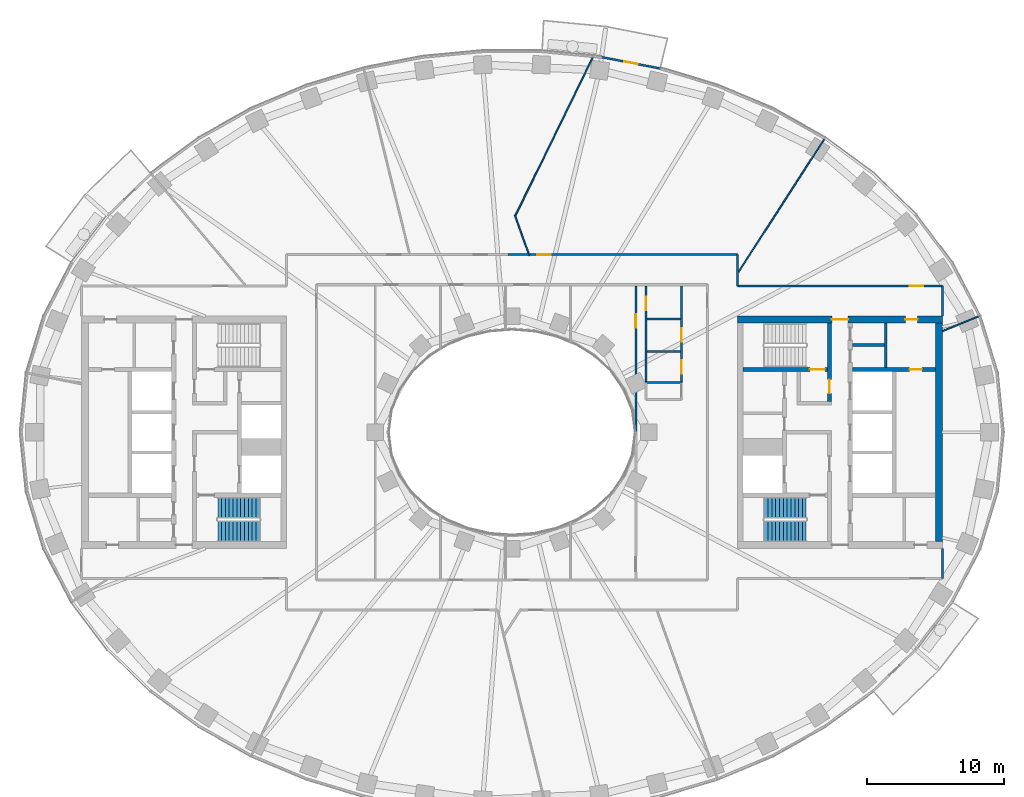
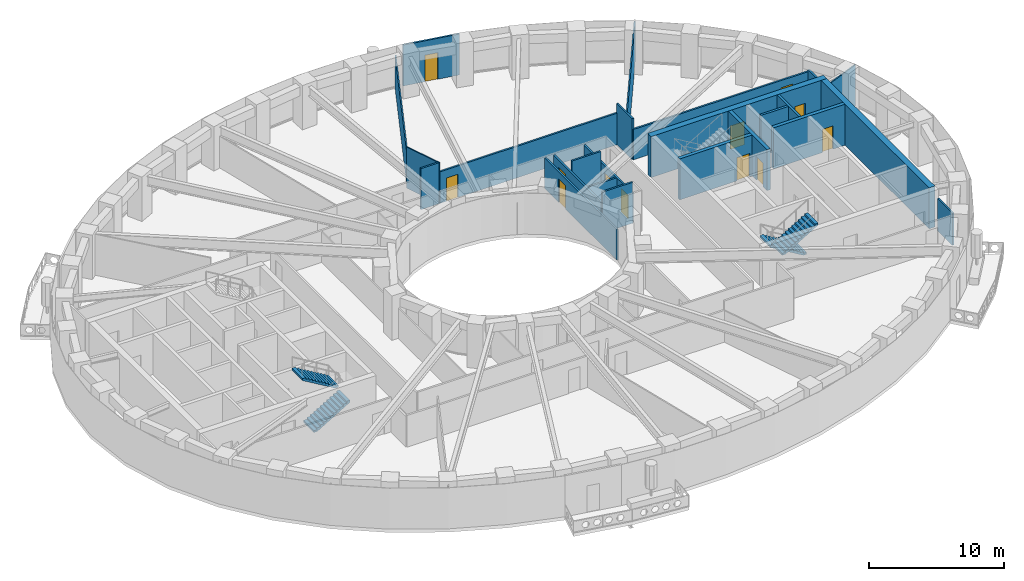
# One storey, part 6 of 16: 24 walls, 12 doors, 4 stair flights, 12 openings, 2 elements without a shape of their own.
"""IFC4 building model written with IfcOpenShell, lengths in metres."""

from ifc_helpers import new_model, si_unit, direction, frame, frame_2d, origin, place, context, subcontext, project, spatial, polyline, rectangle, outline, extrude, material, layer, layer_set, type_object, element, fill, aggregate, save


model = new_model("IFC4")

# Units and contexts
model_context = context("Model", 3, precision=1e-05, world=origin(), true_north=direction((0.0, 1.0)))
body_context = subcontext(model_context, "Body", "Model", "MODEL_VIEW")
ifc_project = project(units=[si_unit("LENGTHUNIT", "METRE"), si_unit("AREAUNIT", "SQUARE_METRE"), si_unit("VOLUMEUNIT", "CUBIC_METRE"), si_unit("PLANEANGLEUNIT", "RADIAN"), si_unit("MASSUNIT", "GRAM", prefix="KILO")], contexts=[model_context])

# Site, building, storey
site_placement = place(None, origin())
site = spatial("IfcSite", under=ifc_project, at=site_placement, CompositionType="ELEMENT")
building_placement = place(site_placement, origin())
building = spatial("IfcBuilding", under=site, at=building_placement, Name="Noorbagh Ring Tower", CompositionType="ELEMENT")
storey_placement = place(building_placement, frame((0.0, 0.0, 100.0)))
storey = spatial("IfcBuildingStorey", under=building, at=storey_placement, Name="L22", CompositionType="ELEMENT", Elevation=100.0)

# Walls
ifc_material_1 = material(Name="Gypsum board on steel studs", Category="steel")
ifc_layer_1 = layer(ifc_material_1, 0.14990234375)
ifc_layer_set_1 = layer_set([ifc_layer_1], Name="Gypsum board on steel studs")
wall_type_1 = type_object("IfcWallType", Name="COMPARTMENT PARTITION 150 EI 60", PredefinedType="PARTITIONING", material=ifc_layer_set_1)
wall_1_placement = place(storey_placement, frame((9.800048828125, 3.659912109375, 0.0), z_axis=(0.0, 0.0, 1.0), x_axis=(1.0, 0.0, 0.0)))
element("IfcWall", 1, at=wall_1_placement, inside=storey, type_object=wall_type_1, Name="L22/wall/P36", PredefinedType="PARTITIONING", context=body_context, shape_type="SweptSolid", body=[
    extrude(rectangle(XDim=2.599853515625, YDim=0.14990234375, at=frame_2d((1.2998046875, 0.0))), origin(), (0.0, 0.0, 1.0), 3.699951171875),
])
ifc_material_2 = material(Name="Gypsum board on steel studs", Category="steel")
ifc_layer_2 = layer(ifc_material_2, 0.199951171875)
ifc_layer_set_2 = layer_set([ifc_layer_2], Name="Gypsum board on steel studs")
wall_type_2 = type_object("IfcWallType", Name="CORE-PARTITION-200", PredefinedType="PARTITIONING", material=ifc_layer_set_2)
wall_2_placement = place(storey_placement, frame((27.35009765625, 4.75, 0.0), z_axis=(0.0, 0.0, 1.0), x_axis=(0.0, 1.0, 0.0)))
element("IfcWall", 2, at=wall_2_placement, inside=storey, type_object=wall_type_2, Name="Core partition E", PredefinedType="PARTITIONING", context=body_context, shape_type="SweptSolid", body=[
    extrude(rectangle(XDim=3.25, YDim=0.199951171875, at=frame_2d((1.625, 0.0))), origin(), (0.0, 0.0, 1.0), 3.699951171875),
])
wall_3_placement = place(storey_placement, frame((24.89990234375, 6.39990234375, 0.0), z_axis=(0.0, 0.0, 1.0), x_axis=(1.0, 0.0, 0.0)))
element("IfcWall", 3, at=wall_3_placement, inside=storey, type_object=wall_type_2, Name="Core partition E", PredefinedType="PARTITIONING", context=body_context, shape_type="SweptSolid", body=[
    extrude(rectangle(XDim=2.35009765625, YDim=0.199951171875, at=frame_2d((1.175048828125, 0.0))), origin(), (0.0, 0.0, 1.0), 3.699951171875),
])

# Wall, opening, door
ifc_material_3 = material(Name="Concrete C70/85", Category="concrete")
ifc_layer_3 = layer(ifc_material_3, 0.300048828125)
ifc_layer_set_3 = layer_set([ifc_layer_3], Name="Concrete C70/85")
wall_type_3 = type_object("IfcWallType", Name="CORE-WALL-300-C70-85-EI240", PredefinedType="SHEAR", material=ifc_layer_set_3)
wall_4_placement = place(storey_placement, frame((24.89990234375, 4.60009765625, 0.0), z_axis=(0.0, 0.0, 1.0), x_axis=(1.0, 0.0, 0.0)))
wall_4 = element("IfcWall", 4, at=wall_4_placement, inside=storey, type_object=wall_type_3, Name="Core wall E", PredefinedType="SHEAR", context=body_context, shape_type="SweptSolid", body=[
    extrude(rectangle(XDim=6.10009765625, YDim=0.300048828125, at=frame_2d((3.050048828125, 0.0))), origin(), (0.0, 0.0, 1.0), 3.699951171875),
])
opening_1_placement = place(wall_4_placement, frame((4.199951171875, 0.0, 0.0)))
opening_1 = element("IfcOpeningElement", 5, at=opening_1_placement, cuts=wall_4, Name="Opening L22-CE18", PredefinedType="OPENING", context=body_context, shape_type="SweptSolid", body=[
    extrude(rectangle(XDim=0.89990234375, YDim=2.10009765625, at=frame_2d((0.449951171875, 1.050048828125))), frame((0.0, 0.16015625, 0.0), z_axis=(0.0, -1.0, 0.0), x_axis=(1.0, 0.0, 0.0)), (0.0, 0.0, 1.0), 0.320068359375),
])
ifc_material_4 = material(Name="Steel door leaf", Category="steel")
door_type_1 = type_object("IfcDoorType", Name="CORE-DOOR-DROOM", OperationType="SINGLE_SWING_LEFT", PredefinedType="DOOR", material=ifc_material_4)
door_1_placement = place(opening_1_placement, origin())
door_1 = element("IfcDoor", 6, at=door_1_placement, inside=storey, type_object=door_type_1, Name="Core room door L22-CE18", OperationType="SINGLE_SWING_RIGHT", OverallHeight=2.10009765625, OverallWidth=0.89990234375, PredefinedType="DOOR", context=body_context, shape_type="SweptSolid", body=[
    extrude(rectangle(XDim=0.89990234375, YDim=2.10009765625, at=frame_2d((0.449951171875, 1.050048828125))), frame((0.0, 0.02490234375, 0.0), z_axis=(0.0, -1.0, 0.0), x_axis=(1.0, 0.0, 0.0)), (0.0, 0.0, 1.0), 0.050048828125),
])
fill(opening_1, door_1)

wall_5_placement = place(storey_placement, frame((23.22998046875, 2.25, 0.0), z_axis=(0.0, 0.0, 1.0), x_axis=(0.0, 1.0, 0.0)))
wall_5 = element("IfcWall", 7, at=wall_5_placement, inside=storey, type_object=wall_type_3, Name="Core wall E", PredefinedType="SHEAR", context=body_context, shape_type="SweptSolid", body=[
    extrude(rectangle(XDim=5.75, YDim=0.300048828125, at=frame_2d((2.875, 0.0))), origin(), (0.0, 0.0, 1.0), 3.699951171875),
])
opening_2_placement = place(wall_5_placement, frame((0.60009765625, 0.0, 0.0)))
opening_2 = element("IfcOpeningElement", 8, at=opening_2_placement, cuts=wall_5, Name="Opening L22-CE08", PredefinedType="OPENING", context=body_context, shape_type="SweptSolid", body=[
    extrude(rectangle(XDim=1.0, YDim=2.10009765625, at=frame_2d((0.5, 1.050048828125))), frame((0.0, 0.16015625, 0.0), z_axis=(0.0, -1.0, 0.0), x_axis=(1.0, 0.0, 0.0)), (0.0, 0.0, 1.0), 0.320068359375),
])
ifc_material_5 = material(Name="Steel door leaf", Category="steel")
door_type_2 = type_object("IfcDoorType", Name="CORE-DOOR-DVEST", OperationType="SINGLE_SWING_LEFT", PredefinedType="DOOR", material=ifc_material_5)
door_2_placement = place(opening_2_placement, origin())
door_2 = element("IfcDoor", 9, at=door_2_placement, inside=storey, type_object=door_type_2, Name="Stair vestibule door L22-CE08", OperationType="SINGLE_SWING_RIGHT", OverallHeight=2.10009765625, OverallWidth=1.0, PredefinedType="DOOR", context=body_context, shape_type="SweptSolid", body=[
    extrude(rectangle(XDim=1.0, YDim=2.10009765625, at=frame_2d((0.5, 1.050048828125))), frame((0.0, 0.02490234375, 0.0), z_axis=(0.0, -1.0, 0.0), x_axis=(1.0, 0.0, 0.0)), (0.0, 0.0, 1.0), 0.050048828125),
])
fill(opening_2, door_2)

wall_6_placement = place(storey_placement, frame((16.89990234375, 4.60009765625, 0.0), z_axis=(0.0, 0.0, 1.0), x_axis=(1.0, 0.0, 0.0)))
wall_6 = element("IfcWall", 10, at=wall_6_placement, inside=storey, type_object=wall_type_3, Name="Core wall E", PredefinedType="SHEAR", context=body_context, shape_type="SweptSolid", body=[
    extrude(rectangle(XDim=6.18017578125, YDim=0.300048828125, at=frame_2d((3.090087890625, 0.0))), origin(), (0.0, 0.0, 1.0), 3.699951171875),
])
opening_3_placement = place(wall_6_placement, frame((4.89990234375, 0.0, 0.0)))
opening_3 = element("IfcOpeningElement", 11, at=opening_3_placement, cuts=wall_6, Name="Opening L22-CE05", PredefinedType="OPENING", context=body_context, shape_type="SweptSolid", body=[
    extrude(rectangle(XDim=1.10009765625, YDim=2.10009765625, at=frame_2d((0.550048828125, 1.050048828125))), frame((0.0, 0.16015625, 0.0), z_axis=(0.0, -1.0, 0.0), x_axis=(1.0, 0.0, 0.0)), (0.0, 0.0, 1.0), 0.320068359375),
])
ifc_material_6 = material(Name="Steel door leaf", Category="steel")
door_type_3 = type_object("IfcDoorType", Name="CORE-DOOR-DSTAIR", OperationType="SINGLE_SWING_LEFT", PredefinedType="DOOR", material=ifc_material_6)
door_3_placement = place(opening_3_placement, origin())
door_3 = element("IfcDoor", 12, at=door_3_placement, inside=storey, type_object=door_type_3, Name="Stair door ST3 L22-CE05", OperationType="SINGLE_SWING_LEFT", OverallHeight=2.10009765625, OverallWidth=1.10009765625, PredefinedType="DOOR", context=body_context, shape_type="SweptSolid", body=[
    extrude(rectangle(XDim=1.10009765625, YDim=2.10009765625, at=frame_2d((0.550048828125, 1.050048828125))), frame((0.0, 0.02490234375, 0.0), z_axis=(0.0, -1.0, 0.0), x_axis=(1.0, 0.0, 0.0)), (0.0, 0.0, 1.0), 0.050048828125),
])
fill(opening_3, door_3)

# Wall, openings, doors
ifc_material_7 = material(Name="Concrete C70/85", Category="concrete")
ifc_layer_4 = layer(ifc_material_7, 0.5)
ifc_layer_set_4 = layer_set([ifc_layer_4], Name="Concrete C70/85")
wall_type_4 = type_object("IfcWallType", Name="CORE-WALL-500-C70-85-EI240", PredefinedType="SHEAR", material=ifc_layer_set_4)
wall_7_placement = place(storey_placement, frame((16.5, 8.25, 0.0), z_axis=(0.0, 0.0, 1.0), x_axis=(1.0, 0.0, 0.0)))
wall_7 = element("IfcWall", 13, at=wall_7_placement, inside=storey, type_object=wall_type_4, Name="Core wall E", PredefinedType="SHEAR", context=body_context, shape_type="SweptSolid", body=[
    extrude(rectangle(XDim=15.0, YDim=0.5, at=frame_2d((7.5, 0.0))), origin(), (0.0, 0.0, 1.0), 3.699951171875),
])
opening_4_placement = place(wall_7_placement, frame((6.89990234375, 0.0, 0.0)))
opening_4 = element("IfcOpeningElement", 14, at=opening_4_placement, cuts=wall_7, Name="Opening L22-CE09", PredefinedType="OPENING", context=body_context, shape_type="SweptSolid", body=[
    extrude(rectangle(XDim=1.199951171875, YDim=2.10009765625, at=frame_2d((0.60009765625, 1.050048828125))), frame((0.0, 0.260009765625, 0.0), z_axis=(0.0, -1.0, 0.0), x_axis=(1.0, 0.0, 0.0)), (0.0, 0.0, 1.0), 0.52001953125),
])
opening_5_placement = place(wall_7_placement, frame((12.27490234375, 0.0, 0.0)))
opening_5 = element("IfcOpeningElement", 15, at=opening_5_placement, cuts=wall_7, Name="Opening L22-CE15", PredefinedType="OPENING", context=body_context, shape_type="SweptSolid", body=[
    extrude(rectangle(XDim=0.89990234375, YDim=2.10009765625, at=frame_2d((0.449951171875, 1.050048828125))), frame((0.0, 0.260009765625, 0.0), z_axis=(0.0, -1.0, 0.0), x_axis=(1.0, 0.0, 0.0)), (0.0, 0.0, 1.0), 0.52001953125),
])
door_4_placement = place(opening_5_placement, origin())
door_4 = element("IfcDoor", 16, at=door_4_placement, inside=storey, type_object=door_type_1, Name="Core room door L22-CE15", OperationType="SINGLE_SWING_LEFT", OverallHeight=2.10009765625, OverallWidth=0.89990234375, PredefinedType="DOOR", context=body_context, shape_type="SweptSolid", body=[
    extrude(rectangle(XDim=0.89990234375, YDim=2.10009765625, at=frame_2d((0.449951171875, 1.050048828125))), frame((0.0, 0.02490234375, 0.0), z_axis=(0.0, -1.0, 0.0), x_axis=(1.0, 0.0, 0.0)), (0.0, 0.0, 1.0), 0.050048828125),
])
fill(opening_5, door_4)
ifc_material_8 = material(Name="Steel door leaf", Category="steel")
door_type_4 = type_object("IfcDoorType", Name="CORE-DOOR-PORT", OperationType="DOUBLE_DOOR_DOUBLE_SWING", PredefinedType="DOOR", material=ifc_material_8)
door_5_placement = place(opening_4_placement, origin())
door_5 = element("IfcDoor", 17, at=door_5_placement, inside=storey, type_object=door_type_4, Name="Core entrance door L22-CE09", OperationType="DOUBLE_DOOR_DOUBLE_SWING", OverallHeight=2.10009765625, OverallWidth=1.199951171875, PredefinedType="DOOR", context=body_context, shape_type="SweptSolid", body=[
    extrude(rectangle(XDim=1.199951171875, YDim=2.10009765625, at=frame_2d((0.60009765625, 1.050048828125))), frame((0.0, 0.02490234375, 0.0), z_axis=(0.0, -1.0, 0.0), x_axis=(1.0, 0.0, 0.0)), (0.0, 0.0, 1.0), 0.050048828125),
])
fill(opening_4, door_5)

# Walls
wall_8_placement = place(storey_placement, frame((31.25, -8.0, 0.0), z_axis=(0.0, 0.0, 1.0), x_axis=(0.0, 1.0, 0.0)))
element("IfcWall", 18, at=wall_8_placement, inside=storey, type_object=wall_type_4, Name="Core wall E", PredefinedType="SHEAR", context=body_context, shape_type="SweptSolid", body=[
    extrude(rectangle(XDim=16.0, YDim=0.5, at=frame_2d((8.0, 0.0))), origin(), (0.0, 0.0, 1.0), 3.699951171875),
])
ifc_material_9 = material(Name="Gypsum board on steel studs", Category="steel")
ifc_layer_5 = layer(ifc_material_9, 0.14990234375)
ifc_layer_set_5 = layer_set([ifc_layer_5], Name="Gypsum board on steel studs")
wall_type_5 = type_object("IfcWallType", Name="CORRIDOR PARTITION 150 EI 30", PredefinedType="PARTITIONING", material=ifc_layer_set_5)
wall_9_placement = place(storey_placement, frame((-0.294921875, 13.0, 0.0), z_axis=(0.0, 0.0, 1.0), x_axis=(1.0, 0.0, 0.0)))
element("IfcWall", 19, at=wall_9_placement, inside=storey, type_object=wall_type_5, Name="L22/wall/P24", PredefinedType="PARTITIONING", context=body_context, shape_type="SweptSolid", body=[
    extrude(rectangle(XDim=1.52880859375, YDim=0.14990234375, at=frame_2d((0.764404296875, 0.0))), origin(), (0.0, 0.0, 1.0), 3.699951171875),
])

# Wall, opening, door
wall_10_placement = place(storey_placement, frame((1.299072265625, 13.0, 0.0), z_axis=(0.0, 0.0, 1.0), x_axis=(1.0, 0.0, 0.0)))
wall_10 = element("IfcWall", 20, at=wall_10_placement, inside=storey, type_object=wall_type_5, Name="L22/wall/P29", PredefinedType="PARTITIONING", context=body_context, shape_type="SweptSolid", body=[
    extrude(rectangle(XDim=15.200927734375, YDim=0.14990234375, at=frame_2d((7.6005859375, 0.0))), origin(), (0.0, 0.0, 1.0), 2.85009765625),
])
opening_6_placement = place(wall_10_placement, frame((0.551025390625, 0.0, 0.0)))
opening_6 = element("IfcOpeningElement", 21, at=opening_6_placement, cuts=wall_10, Name="Opening D1", PredefinedType="OPENING", context=body_context, shape_type="SweptSolid", body=[
    extrude(rectangle(XDim=1.0, YDim=2.10009765625, at=frame_2d((0.5, 1.050048828125))), frame((0.0, 0.0849609375, 0.0), z_axis=(0.0, -1.0, 0.0), x_axis=(1.0, 0.0, 0.0)), (0.0, 0.0, 1.0), 0.169921875),
])
ifc_material_10 = material(Name="Timber, painted", Category="wood")
door_type_5 = type_object("IfcDoorType", Name="DOOR 1000 X 2100 FD30", OperationType="SINGLE_SWING_LEFT", PredefinedType="DOOR", material=ifc_material_10)
door_6_placement = place(opening_6_placement, origin())
door_6 = element("IfcDoor", 22, at=door_6_placement, inside=storey, type_object=door_type_5, Name="L22-D12", OperationType="SINGLE_SWING_RIGHT", OverallHeight=2.10009765625, OverallWidth=1.0, PredefinedType="DOOR", context=body_context, shape_type="SweptSolid", body=[
    extrude(rectangle(XDim=1.0, YDim=2.10009765625, at=frame_2d((0.5, 1.050048828125))), frame((0.0, 0.02490234375, 0.0), z_axis=(0.0, -1.0, 0.0), x_axis=(1.0, 0.0, 0.0)), (0.0, 0.0, 1.0), 0.050048828125),
])
fill(opening_6, door_6)

wall_11_placement = place(storey_placement, frame((9.056884765625, 0.044921875, 0.0), z_axis=(0.0, 0.0, 1.0), x_axis=(0.0, 1.0, 0.0)))
wall_11 = element("IfcWall", 23, at=wall_11_placement, inside=storey, type_object=wall_type_5, Name="L22/wall/P33", PredefinedType="PARTITIONING", context=body_context, shape_type="SweptSolid", body=[
    extrude(rectangle(XDim=10.68017578125, YDim=0.14990234375, at=frame_2d((5.340087890625, 0.0))), origin(), (0.0, 0.0, 1.0), 2.75),
])
opening_7_placement = place(wall_11_placement, frame((7.60498046875, 0.0, 0.0)))
opening_7 = element("IfcOpeningElement", 24, at=opening_7_placement, cuts=wall_11, Name="Opening D1", PredefinedType="OPENING", context=body_context, shape_type="SweptSolid", body=[
    extrude(rectangle(XDim=1.0, YDim=2.10009765625, at=frame_2d((0.5, 1.050048828125))), frame((0.0, 0.0849609375, 0.0), z_axis=(0.0, -1.0, 0.0), x_axis=(1.0, 0.0, 0.0)), (0.0, 0.0, 1.0), 0.169921875),
])
door_7_placement = place(opening_7_placement, origin())
door_7 = element("IfcDoor", 25, at=door_7_placement, inside=storey, type_object=door_type_5, Name="L22-D23", OperationType="SINGLE_SWING_LEFT", OverallHeight=2.10009765625, OverallWidth=1.0, PredefinedType="DOOR", context=body_context, shape_type="SweptSolid", body=[
    extrude(rectangle(XDim=1.0, YDim=2.10009765625, at=frame_2d((0.5, 1.050048828125))), frame((0.0, 0.02490234375, 0.0), z_axis=(0.0, -1.0, 0.0), x_axis=(1.0, 0.0, 0.0)), (0.0, 0.0, 1.0), 0.050048828125),
])
fill(opening_7, door_7)

wall_12_placement = place(storey_placement, frame((9.800048828125, 3.659912109375, 0.0), z_axis=(0.0, 0.0, 1.0), x_axis=(0.0, 1.0, 0.0)))
wall_12 = element("IfcWall", 26, at=wall_12_placement, inside=storey, type_object=wall_type_5, Name="L22/wall/P35", PredefinedType="PARTITIONING", context=body_context, shape_type="SweptSolid", body=[
    extrude(rectangle(XDim=7.065185546875, YDim=0.14990234375, at=frame_2d((3.53271484375, 0.0))), origin(), (0.0, 0.0, 1.0), 2.75),
])
opening_8_placement = place(wall_12_placement, frame((5.27001953125, 0.0, 0.0)))
opening_8 = element("IfcOpeningElement", 27, at=opening_8_placement, cuts=wall_12, Name="Opening D3", PredefinedType="OPENING", context=body_context, shape_type="SweptSolid", body=[
    extrude(rectangle(XDim=1.0, YDim=2.10009765625, at=frame_2d((0.5, 1.050048828125))), frame((0.0, 0.0849609375, 0.0), z_axis=(0.0, -1.0, 0.0), x_axis=(1.0, 0.0, 0.0)), (0.0, 0.0, 1.0), 0.169921875),
])
ifc_material_11 = material(Name="Timber, painted", Category="wood")
door_type_6 = type_object("IfcDoorType", Name="DOOR 1000 X 2100 WC", OperationType="SINGLE_SWING_LEFT", PredefinedType="DOOR", material=ifc_material_11)
door_8_placement = place(opening_8_placement, origin())
door_8 = element("IfcDoor", 28, at=door_8_placement, inside=storey, type_object=door_type_6, Name="L22-D02", OperationType="SINGLE_SWING_RIGHT", OverallHeight=2.10009765625, OverallWidth=1.0, PredefinedType="DOOR", context=body_context, shape_type="SweptSolid", body=[
    extrude(rectangle(XDim=1.0, YDim=2.10009765625, at=frame_2d((0.5, 1.050048828125))), frame((0.0, 0.02490234375, 0.0), z_axis=(0.0, -1.0, 0.0), x_axis=(1.0, 0.0, 0.0)), (0.0, 0.0, 1.0), 0.050048828125),
])
fill(opening_8, door_8)

# Walls
wall_13_placement = place(storey_placement, frame((9.875, 5.927978515625, 0.0), z_axis=(0.0, 0.0, 1.0), x_axis=(1.0, 0.0, 0.0)))
element("IfcWall", 29, at=wall_13_placement, inside=storey, type_object=wall_type_5, Name="L22/wall/P37", PredefinedType="PARTITIONING", context=body_context, shape_type="SweptSolid", body=[
    extrude(rectangle(XDim=2.449951171875, YDim=0.14990234375, at=frame_2d((1.22509765625, 0.0))), origin(), (0.0, 0.0, 1.0), 2.75),
])
wall_14_placement = place(storey_placement, frame((9.875, 8.280029296875, 0.0), z_axis=(0.0, 0.0, 1.0), x_axis=(1.0, 0.0, 0.0)))
element("IfcWall", 30, at=wall_14_placement, inside=storey, type_object=wall_type_5, Name="L22/wall/P38", PredefinedType="PARTITIONING", context=body_context, shape_type="SweptSolid", body=[
    extrude(rectangle(XDim=2.449951171875, YDim=0.14990234375, at=frame_2d((1.22509765625, 0.0))), origin(), (0.0, 0.0, 1.0), 3.699951171875),
])

# Wall, openings, doors
wall_15_placement = place(storey_placement, frame((12.39990234375, 3.659912109375, 0.0), z_axis=(0.0, 0.0, 1.0), x_axis=(0.0, 1.0, 0.0)))
wall_15 = element("IfcWall", 31, at=wall_15_placement, inside=storey, type_object=wall_type_5, Name="L22/wall/P43", PredefinedType="PARTITIONING", context=body_context, shape_type="SweptSolid", body=[
    extrude(rectangle(XDim=7.065185546875, YDim=0.14990234375, at=frame_2d((3.53271484375, 0.0))), origin(), (0.0, 0.0, 1.0), 2.75),
])
opening_9_placement = place(wall_15_placement, frame((2.969970703125, 0.0, 0.0)))
opening_9 = element("IfcOpeningElement", 32, at=opening_9_placement, cuts=wall_15, Name="Opening D3", PredefinedType="OPENING", context=body_context, shape_type="SweptSolid", body=[
    extrude(rectangle(XDim=1.0, YDim=2.10009765625, at=frame_2d((0.5, 1.050048828125))), frame((0.0, 0.0849609375, 0.0), z_axis=(0.0, -1.0, 0.0), x_axis=(1.0, 0.0, 0.0)), (0.0, 0.0, 1.0), 0.169921875),
])
opening_10_placement = place(wall_15_placement, frame((0.617919921875, 0.0, 0.0)))
opening_10 = element("IfcOpeningElement", 33, at=opening_10_placement, cuts=wall_15, Name="Opening D3", PredefinedType="OPENING", context=body_context, shape_type="SweptSolid", body=[
    extrude(rectangle(XDim=1.0, YDim=2.10009765625, at=frame_2d((0.5, 1.050048828125))), frame((0.0, 0.0849609375, 0.0), z_axis=(0.0, -1.0, 0.0), x_axis=(1.0, 0.0, 0.0)), (0.0, 0.0, 1.0), 0.169921875),
])
door_9_placement = place(opening_9_placement, origin())
door_9 = element("IfcDoor", 34, at=door_9_placement, inside=storey, type_object=door_type_6, Name="L22-D03", OperationType="SINGLE_SWING_LEFT", OverallHeight=2.10009765625, OverallWidth=1.0, PredefinedType="DOOR", context=body_context, shape_type="SweptSolid", body=[
    extrude(rectangle(XDim=1.0, YDim=2.10009765625, at=frame_2d((0.5, 1.050048828125))), frame((0.0, 0.02490234375, 0.0), z_axis=(0.0, -1.0, 0.0), x_axis=(1.0, 0.0, 0.0)), (0.0, 0.0, 1.0), 0.050048828125),
])
fill(opening_9, door_9)
door_10_placement = place(opening_10_placement, origin())
door_10 = element("IfcDoor", 35, at=door_10_placement, inside=storey, type_object=door_type_6, Name="L22-D04", OperationType="SINGLE_SWING_RIGHT", OverallHeight=2.10009765625, OverallWidth=1.0, PredefinedType="DOOR", context=body_context, shape_type="SweptSolid", body=[
    extrude(rectangle(XDim=1.0, YDim=2.10009765625, at=frame_2d((0.5, 1.050048828125))), frame((0.0, 0.02490234375, 0.0), z_axis=(0.0, -1.0, 0.0), x_axis=(1.0, 0.0, 0.0)), (0.0, 0.0, 1.0), 0.050048828125),
])
fill(opening_10, door_10)

# Wall
wall_16_placement = place(storey_placement, frame((16.5, 10.699951171875, 0.0), z_axis=(0.0, 0.0, 1.0), x_axis=(0.0, 1.0, 0.0)))
element("IfcWall", 36, at=wall_16_placement, inside=storey, type_object=wall_type_5, Name="L22/wall/P47", PredefinedType="PARTITIONING", context=body_context, shape_type="SweptSolid", body=[
    extrude(rectangle(XDim=2.300048828125, YDim=0.14990234375, at=frame_2d((1.14990234375, 0.0))), origin(), (0.0, 0.0, 1.0), 3.699951171875),
])

# Wall, opening, door
wall_17_placement = place(storey_placement, frame((16.5, 10.699951171875, 0.0), z_axis=(0.0, 0.0, 1.0), x_axis=(1.0, 0.0, 0.0)))
wall_17 = element("IfcWall", 37, at=wall_17_placement, inside=storey, type_object=wall_type_5, Name="L22/wall/P48", PredefinedType="PARTITIONING", context=body_context, shape_type="SweptSolid", body=[
    extrude(rectangle(XDim=15.0, YDim=0.14990234375, at=frame_2d((7.5, 0.0))), origin(), (0.0, 0.0, 1.0), 2.75),
])
opening_11_placement = place(wall_17_placement, frame((12.60009765625, 0.0, 0.0)))
opening_11 = element("IfcOpeningElement", 38, at=opening_11_placement, cuts=wall_17, Name="Opening D1", PredefinedType="OPENING", context=body_context, shape_type="SweptSolid", body=[
    extrude(rectangle(XDim=1.0, YDim=2.10009765625, at=frame_2d((0.5, 1.050048828125))), frame((0.0, 0.0849609375, 0.0), z_axis=(0.0, -1.0, 0.0), x_axis=(1.0, 0.0, 0.0)), (0.0, 0.0, 1.0), 0.169921875),
])
door_11_placement = place(opening_11_placement, origin())
door_11 = element("IfcDoor", 39, at=door_11_placement, inside=storey, type_object=door_type_5, Name="L22-D15", OperationType="SINGLE_SWING_LEFT", OverallHeight=2.10009765625, OverallWidth=1.0, PredefinedType="DOOR", context=body_context, shape_type="SweptSolid", body=[
    extrude(rectangle(XDim=1.0, YDim=2.10009765625, at=frame_2d((0.5, 1.050048828125))), frame((0.0, 0.02490234375, 0.0), z_axis=(0.0, -1.0, 0.0), x_axis=(1.0, 0.0, 0.0)), (0.0, 0.0, 1.0), 0.050048828125),
])
fill(opening_11, door_11)

# Walls
for number, where, z_axis, x_axis, name in (
    (40, (31.5, -10.699951171875, 0.0), (0.0, 0.0, 1.0), (0.0, 1.0, 0.0), "L22/wall/P50"),
    (41, (31.5, 8.5, 0.0), (0.0, 0.0, 1.0), (0.0, 1.0, 0.0), "L22/wall/P52"),
):
    element("IfcWall", number, at=place(storey_placement, frame(where, z_axis=z_axis, x_axis=x_axis)), inside=storey, type_object=wall_type_5, Name=name, PredefinedType="PARTITIONING", context=body_context, shape_type="SweptSolid", body=[
        extrude(rectangle(XDim=2.199951171875, YDim=0.14990234375, at=frame_2d((1.10009765625, 0.0))), origin(), (0.0, 0.0, 1.0), 2.89990234375),
    ])

# Wall, opening, door
ifc_material_12 = material(Name="Insulated aluminium clad panel", Category="aluminium")
ifc_layer_6 = layer(ifc_material_12, 0.14990234375)
ifc_layer_set_6 = layer_set([ifc_layer_6], Name="Insulated aluminium clad panel")
wall_type_6 = type_object("IfcWallType", Name="ENV-WALL-DOOR", PredefinedType="STANDARD", material=ifc_layer_set_6)
wall_18_placement = place(storey_placement, frame((10.87060546875, 26.616943359375, 0.0), z_axis=(0.0, 0.0, 1.0), x_axis=(-0.981631174778, 0.190788460615, 0.0)))
wall_18 = element("IfcWall", 42, at=wall_18_placement, inside=storey, type_object=wall_type_6, Name="Balcony door wall chord 10", PredefinedType="STANDARD", context=body_context, shape_type="SweptSolid", body=[
    extrude(rectangle(XDim=4.42626953125, YDim=0.14990234375, at=frame_2d((2.213134765625, 0.0))), origin(), (0.0, 0.0, 1.0), 3.699951171875),
])
opening_12_placement = place(wall_18_placement, frame((1.713134765625, 0.0, 0.0)))
opening_12 = element("IfcOpeningElement", 43, at=opening_12_placement, cuts=wall_18, Name="Opening D-BL", PredefinedType="OPENING", context=body_context, shape_type="SweptSolid", body=[
    extrude(rectangle(XDim=1.0, YDim=2.39990234375, at=frame_2d((0.5, 1.199951171875))), frame((0.0, 0.0849609375, 0.0), z_axis=(0.0, -1.0, 0.0), x_axis=(1.0, 0.0, 0.0)), (0.0, 0.0, 1.0), 0.169921875),
])
ifc_material_13 = material(Name="Aluminium and glass", Category="aluminium")
door_type_7 = type_object("IfcDoorType", Name="ENV-DOOR-BALCONY", OperationType="SINGLE_SWING_LEFT", PredefinedType="DOOR", material=ifc_material_13)
door_12_placement = place(opening_12_placement, origin())
door_12 = element("IfcDoor", 44, at=door_12_placement, inside=storey, type_object=door_type_7, Name="Balcony door chord 10", OperationType="SINGLE_SWING_LEFT", OverallHeight=2.39990234375, OverallWidth=1.0, PredefinedType="DOOR", context=body_context, shape_type="SweptSolid", body=[
    extrude(rectangle(XDim=1.0, YDim=2.39990234375, at=frame_2d((0.5, 1.199951171875))), frame((0.0, 0.02490234375, 0.0), z_axis=(0.0, -1.0, 0.0), x_axis=(1.0, 0.0, 0.0)), (0.0, 0.0, 1.0), 0.050048828125),
])
fill(opening_12, door_12)

# Walls
ifc_material_14 = material(Name="Gypsum board on steel studs", Category="steel")
ifc_layer_7 = layer(ifc_material_14, 0.10009765625)
ifc_layer_set_7 = layer_set([ifc_layer_7], Name="Gypsum board on steel studs")
wall_type_7 = type_object("IfcWallType", Name="PARTITION 100 GYPSUM", PredefinedType="PARTITIONING", material=ifc_layer_set_7)
wall_19_placement = place(storey_placement, frame((0.20703125, 15.889892578125, 0.0), z_axis=(0.0, 0.0, 1.0), x_axis=(0.338439213009, -0.94098825662, 0.0)))
element("IfcWall", 45, at=wall_19_placement, inside=storey, type_object=wall_type_7, Name="L22/wall/P26", PredefinedType="PARTITIONING", context=body_context, shape_type="SweptSolid", body=[
    extrude(rectangle(XDim=3.146728515625, YDim=0.10009765625, at=frame_2d((1.5732421875, 0.0))), origin(), (0.0, 0.0, 1.0), 3.699951171875),
])
wall_20_placement = place(storey_placement, frame((0.261962890625, 15.886962890625, 0.0), z_axis=(0.0, 0.0, 1.0), x_axis=(0.439206418019, 0.898386176636, 0.0)))
element("IfcWall", 46, at=wall_20_placement, inside=storey, type_object=wall_type_7, Name="L22/wall/P27", PredefinedType="PARTITIONING", context=body_context, shape_type="SweptSolid", body=[
    extrude(rectangle(XDim=12.968994140625, YDim=0.10009765625, at=frame_2d((6.484375, 0.0))), origin(), (0.0, 0.0, 1.0), 2.89990234375),
])
wall_21_placement = place(storey_placement, frame((16.574951171875, 11.73291015625, 0.0), z_axis=(0.0, 0.0, 1.0), x_axis=(0.54222594427, 0.840232720953, 0.0)))
element("IfcWall", 47, at=wall_21_placement, inside=storey, type_object=wall_type_7, Name="L22/wall/P49", PredefinedType="PARTITIONING", context=body_context, shape_type="SweptSolid", body=[
    extrude(rectangle(XDim=11.67431640625, YDim=0.10009765625, at=frame_2d((5.837158203125, 0.0))), origin(), (0.0, 0.0, 1.0), 3.699951171875),
])
wall_22_placement = place(storey_placement, frame((31.5, 7.409912109375, 0.0), z_axis=(0.0, 0.0, 1.0), x_axis=(0.925344112436, 0.379128307542, 0.0)))
element("IfcWall", 48, at=wall_22_placement, inside=storey, type_object=wall_type_7, Name="L22/wall/P51", PredefinedType="PARTITIONING", context=body_context, shape_type="SweptSolid", body=[
    extrude(rectangle(XDim=2.954345703125, YDim=0.10009765625, at=frame_2d((1.47705078125, 0.0))), origin(), (0.0, 0.0, 1.0), 3.699951171875),
])

# Stair, stair flights
ifc_material_15 = material(Name="Concrete C40/50", Category="concrete")
stair_type = type_object("IfcStairType", Name="CORE-STAIR", PredefinedType="HALF_TURN_STAIR", material=ifc_material_15)
stair_1_placement = place(storey_placement, origin())
stair_1 = element("IfcStair", 49, at=stair_1_placement, inside=storey, type_object=stair_type, Name="L22 Exit stair ST2", PredefinedType="HALF_TURN_STAIR")
ifc_material_16 = material(Name="Concrete C40/50", Category="concrete")
stair_flight_type = type_object("IfcStairFlightType", Name="CORE-STAIR-FLIGHT", PredefinedType="STRAIGHT", material=ifc_material_16)
stair_flight_1_placement = place(storey_placement, frame((-21.530029296875, -7.22509765625, 0.0), z_axis=(0.0, 0.0, 1.0), x_axis=(1.0, 0.0, 0.0)))
stair_flight_1 = element("IfcStairFlight", 50, at=stair_flight_1_placement, type_object=stair_flight_type, Name="ST2 flight 1", NumberOfRisers=12, NumberOfTreads=11, PredefinedType="STRAIGHT", RiserHeight=0.166666667, TreadLength=0.28, context=body_context, shape_type="SweptSolid", body=[
    extrude(outline(polyline([(0.0, 0.0), (0.0, 0.166748046875), (0.280029296875, 0.166748046875), (0.280029296875, 0.333251953125), (0.56005859375, 0.333251953125), (0.56005859375, 0.5), (0.840087890625, 0.5), (0.840087890625, 0.666748046875), (1.1201171875, 0.666748046875), (1.1201171875, 0.833251953125), (1.39990234375, 0.833251953125), (1.39990234375, 1.0), (1.679931640625, 1.0), (1.679931640625, 1.166748046875), (1.9599609375, 1.166748046875), (1.9599609375, 1.333251953125), (2.239990234375, 1.333251953125), (2.239990234375, 1.5), (2.52001953125, 1.5), (2.52001953125, 1.666748046875), (2.800048828125, 1.666748046875), (2.800048828125, 1.833251953125), (3.080078125, 1.833251953125), (3.080078125, 2.0), (3.080078125, 1.658935546875), (0.29296875, 0.0), (0.0, 0.0)])), frame((0.0, 0.77490234375, 0.0), z_axis=(0.0, -1.0, 0.0), x_axis=(1.0, 0.0, 0.0)), (0.0, 0.0, 1.0), 1.550048828125),
])
stair_flight_2_placement = place(storey_placement, frame((-18.449951171875, -5.52490234375, 2.0), z_axis=(0.0, 0.0, 1.0), x_axis=(-1.0, 0.0, 0.0)))
stair_flight_2 = element("IfcStairFlight", 51, at=stair_flight_2_placement, type_object=stair_flight_type, Name="ST2 flight 2", NumberOfRisers=12, NumberOfTreads=11, PredefinedType="STRAIGHT", RiserHeight=0.166666667, TreadLength=0.28, context=body_context, shape_type="SweptSolid", body=[
    extrude(outline(polyline([(0.0, 0.0), (0.0, 0.166748046875), (0.280029296875, 0.166748046875), (0.280029296875, 0.333251953125), (0.56005859375, 0.333251953125), (0.56005859375, 0.5), (0.840087890625, 0.5), (0.840087890625, 0.666748046875), (1.1201171875, 0.666748046875), (1.1201171875, 0.833251953125), (1.39990234375, 0.833251953125), (1.39990234375, 1.0), (1.679931640625, 1.0), (1.679931640625, 1.166748046875), (1.9599609375, 1.166748046875), (1.9599609375, 1.333251953125), (2.239990234375, 1.333251953125), (2.239990234375, 1.5), (2.52001953125, 1.5), (2.52001953125, 1.666748046875), (2.800048828125, 1.666748046875), (2.800048828125, 1.833251953125), (3.080078125, 1.833251953125), (3.080078125, 2.0), (3.080078125, 1.658935546875), (0.29296875, 0.0), (0.0, 0.0)])), frame((0.0, 0.77490234375, 0.0), z_axis=(0.0, -1.0, 0.0), x_axis=(1.0, 0.0, 0.0)), (0.0, 0.0, 1.0), 1.550048828125),
])
aggregate(stair_1, [stair_flight_1, stair_flight_2])

stair_2_placement = place(storey_placement, origin())
stair_2 = element("IfcStair", 52, at=stair_2_placement, inside=storey, type_object=stair_type, Name="L22 Exit stair ST4", PredefinedType="HALF_TURN_STAIR")
stair_flight_3_placement = place(storey_placement, frame((21.530029296875, -5.52490234375, 0.0), z_axis=(0.0, 0.0, 1.0), x_axis=(-1.0, 0.0, 0.0)))
stair_flight_3 = element("IfcStairFlight", 53, at=stair_flight_3_placement, type_object=stair_flight_type, Name="ST4 flight 1", NumberOfRisers=12, NumberOfTreads=11, PredefinedType="STRAIGHT", RiserHeight=0.166666667, TreadLength=0.28, context=body_context, shape_type="SweptSolid", body=[
    extrude(outline(polyline([(0.0, 0.0), (0.0, 0.166748046875), (0.280029296875, 0.166748046875), (0.280029296875, 0.333251953125), (0.56005859375, 0.333251953125), (0.56005859375, 0.5), (0.840087890625, 0.5), (0.840087890625, 0.666748046875), (1.1201171875, 0.666748046875), (1.1201171875, 0.833251953125), (1.39990234375, 0.833251953125), (1.39990234375, 1.0), (1.679931640625, 1.0), (1.679931640625, 1.166748046875), (1.9599609375, 1.166748046875), (1.9599609375, 1.333251953125), (2.239990234375, 1.333251953125), (2.239990234375, 1.5), (2.52001953125, 1.5), (2.52001953125, 1.666748046875), (2.800048828125, 1.666748046875), (2.800048828125, 1.833251953125), (3.080078125, 1.833251953125), (3.080078125, 2.0), (3.080078125, 1.658935546875), (0.29296875, 0.0), (0.0, 0.0)])), frame((0.0, 0.77490234375, 0.0), z_axis=(0.0, -1.0, 0.0), x_axis=(1.0, 0.0, 0.0)), (0.0, 0.0, 1.0), 1.550048828125),
])
stair_flight_4_placement = place(storey_placement, frame((18.449951171875, -7.22509765625, 2.0), z_axis=(0.0, 0.0, 1.0), x_axis=(1.0, 0.0, 0.0)))
stair_flight_4 = element("IfcStairFlight", 54, at=stair_flight_4_placement, type_object=stair_flight_type, Name="ST4 flight 2", NumberOfRisers=12, NumberOfTreads=11, PredefinedType="STRAIGHT", RiserHeight=0.166666667, TreadLength=0.28, context=body_context, shape_type="SweptSolid", body=[
    extrude(outline(polyline([(0.0, 0.0), (0.0, 0.166748046875), (0.280029296875, 0.166748046875), (0.280029296875, 0.333251953125), (0.56005859375, 0.333251953125), (0.56005859375, 0.5), (0.840087890625, 0.5), (0.840087890625, 0.666748046875), (1.1201171875, 0.666748046875), (1.1201171875, 0.833251953125), (1.39990234375, 0.833251953125), (1.39990234375, 1.0), (1.679931640625, 1.0), (1.679931640625, 1.166748046875), (1.9599609375, 1.166748046875), (1.9599609375, 1.333251953125), (2.239990234375, 1.333251953125), (2.239990234375, 1.5), (2.52001953125, 1.5), (2.52001953125, 1.666748046875), (2.800048828125, 1.666748046875), (2.800048828125, 1.833251953125), (3.080078125, 1.833251953125), (3.080078125, 2.0), (3.080078125, 1.658935546875), (0.29296875, 0.0), (0.0, 0.0)])), frame((0.0, 0.77490234375, 0.0), z_axis=(0.0, -1.0, 0.0), x_axis=(1.0, 0.0, 0.0)), (0.0, 0.0, 1.0), 1.550048828125),
])
aggregate(stair_2, [stair_flight_3, stair_flight_4])

save(model, "model.ifc")
